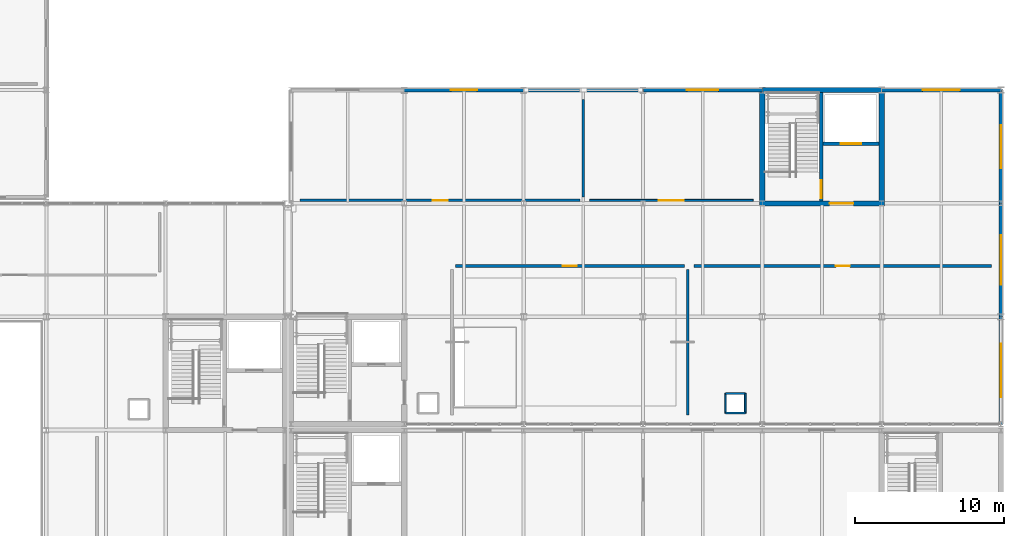
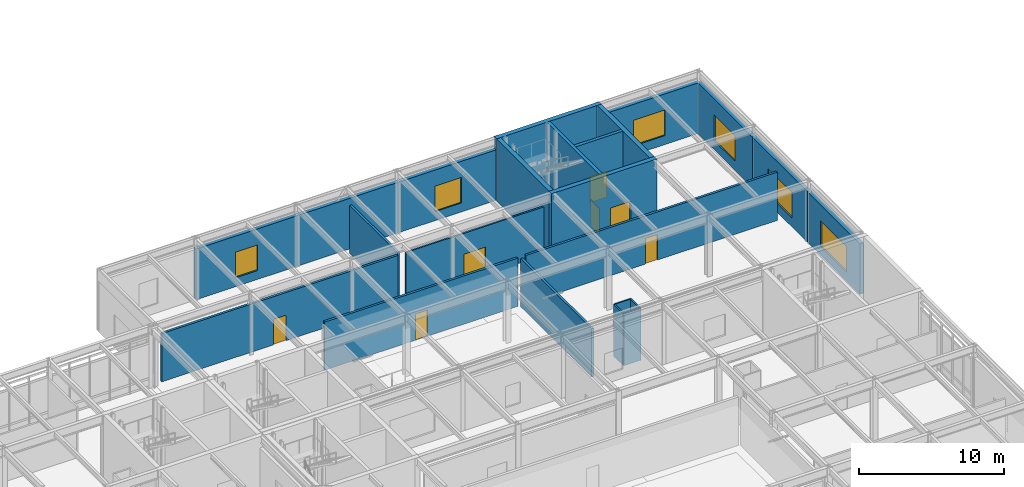
# One storey, part 78 of 94: 23 walls, 7 doors, 6 windows, 13 openings.
"""IFC4 building model written with IfcOpenShell, lengths in metres."""

from ifc_helpers import new_model, si_unit, direction, frame, frame_2d, origin, place, context, subcontext, project, spatial, rectangle, extrude, material, layer, layer_set, type_object, element, fill, save


model = new_model("IFC4")

# Units and contexts
model_context = context("Model", 3, precision=1e-05, world=origin(), true_north=direction((0.0, 1.0)))
body_context = subcontext(model_context, "Body", "Model", "MODEL_VIEW")
ifc_project = project(units=[si_unit("LENGTHUNIT", "METRE"), si_unit("AREAUNIT", "SQUARE_METRE"), si_unit("VOLUMEUNIT", "CUBIC_METRE"), si_unit("PLANEANGLEUNIT", "RADIAN"), si_unit("MASSUNIT", "GRAM", prefix="KILO")], contexts=[model_context])

# Site, building, storey
site_placement = place(None, origin())
site = spatial("IfcSite", under=ifc_project, at=site_placement, CompositionType="ELEMENT")
building_placement = place(site_placement, origin())
building = spatial("IfcBuilding", under=site, at=building_placement, Name="Zulena Civic Courthouse", CompositionType="ELEMENT")
storey_placement = place(building_placement, frame((0.0, 0.0, 5.39990234375)))
storey = spatial("IfcBuildingStorey", under=building, at=storey_placement, Name="L01", CompositionType="ELEMENT", Elevation=5.39990234375)

# Wall, opening, door
ifc_material_1 = material(Name="Concrete C40/50", Category="concrete")
ifc_layer_1 = layer(ifc_material_1, 0.25)
ifc_layer_set_1 = layer_set([ifc_layer_1], Name="Concrete C40/50")
wall_type_1 = type_object("IfcWallType", Name="CoreShearWall_RC250", PredefinedType="SHEAR", material=ifc_layer_set_1)
wall_1_placement = place(storey_placement, frame((159.949951171875, 45.77490234375, 0.0), z_axis=(0.0, 0.0, 1.0), x_axis=(0.0, 1.0, 0.0)))
wall_1 = element("IfcWall", 1, at=wall_1_placement, inside=storey, type_object=wall_type_1, Name="cwall:K3B:L01:DIV", PredefinedType="SHEAR", context=body_context, shape_type="SweptSolid", body=[
    extrude(rectangle(XDim=7.25, YDim=0.25, at=frame_2d((3.625, 0.0))), origin(), (0.0, 0.0, 1.0), 5.190185546875),
])
opening_1_placement = place(wall_1_placement, frame((0.179931640625, 0.0, 0.0)))
opening_1 = element("IfcOpeningElement", 2, at=opening_1_placement, cuts=wall_1, Name="Opening ID07", PredefinedType="OPENING", context=body_context, shape_type="SweptSolid", body=[
    extrude(rectangle(XDim=1.199951171875, YDim=2.199951171875, at=frame_2d((0.60009765625, 1.10009765625))), frame((0.0, 0.135009765625, 0.0), z_axis=(0.0, -1.0, 0.0), x_axis=(1.0, 0.0, 0.0)), (0.0, 0.0, 1.0), 0.27001953125),
])
ifc_material_2 = material(Name="Fire-rated galvanised steel ASTM A653 Grade 50", Category="steel")
door_type_1 = type_object("IfcDoorType", Name="IntDoor_Stair_1200x2200", OperationType="NOTDEFINED", PredefinedType="DOOR", material=ifc_material_2)
door_1_placement = place(opening_1_placement, origin())
door_1 = element("IfcDoor", 3, at=door_1_placement, inside=storey, type_object=door_type_1, Name="door:stair:K3B:L01", OperationType="SINGLE_SWING_RIGHT", OverallHeight=2.199951171875, OverallWidth=1.199951171875, PredefinedType="DOOR", context=body_context, shape_type="SweptSolid", body=[
    extrude(rectangle(XDim=1.199951171875, YDim=2.199951171875, at=frame_2d((0.60009765625, 1.10009765625))), frame((0.0, 0.02490234375, 0.0), z_axis=(0.0, -1.0, 0.0), x_axis=(1.0, 0.0, 0.0)), (0.0, 0.0, 1.0), 0.050048828125),
])
fill(opening_1, door_1)

wall_2_placement = place(storey_placement, frame((160.074951171875, 49.60009765625, 0.0), z_axis=(0.0, 0.0, 1.0), x_axis=(1.0, 0.0, 0.0)))
wall_2 = element("IfcWall", 4, at=wall_2_placement, inside=storey, type_object=wall_type_1, Name="cwall:K3B:L01:SHF", PredefinedType="SHEAR", context=body_context, shape_type="SweptSolid", body=[
    extrude(rectangle(XDim=3.75, YDim=0.25, at=frame_2d((1.875, 0.0))), origin(), (0.0, 0.0, 1.0), 5.190185546875),
])
opening_2_placement = place(wall_2_placement, frame((1.195068359375, 0.0, 0.0)))
opening_2 = element("IfcOpeningElement", 5, at=opening_2_placement, cuts=wall_2, Name="Opening LD04", PredefinedType="OPENING", context=body_context, shape_type="SweptSolid", body=[
    extrude(rectangle(XDim=1.35009765625, YDim=2.199951171875, at=frame_2d((0.675048828125, 1.10009765625))), frame((0.0, 0.135009765625, 0.0), z_axis=(0.0, -1.0, 0.0), x_axis=(1.0, 0.0, 0.0)), (0.0, 0.0, 1.0), 0.27001953125),
])
door_type_2 = type_object("IfcDoorType", Name="LiftLandingDoor_Goods_1350x2300", OperationType="DOUBLE_DOOR_SLIDING", PredefinedType="DOOR", material=ifc_material_2)
door_2_placement = place(opening_2_placement, origin())
door_2 = element("IfcDoor", 6, at=door_2_placement, inside=storey, type_object=door_type_2, Name="door:ld:GL-01:L01", OperationType="DOUBLE_DOOR_SLIDING", OverallHeight=2.199951171875, OverallWidth=1.35009765625, PredefinedType="DOOR", context=body_context, shape_type="SweptSolid", body=[
    extrude(rectangle(XDim=1.35009765625, YDim=2.199951171875, at=frame_2d((0.675048828125, 1.10009765625))), frame((0.0, 0.02490234375, 0.0), z_axis=(0.0, -1.0, 0.0), x_axis=(1.0, 0.0, 0.0)), (0.0, 0.0, 1.0), 0.050048828125),
])
fill(opening_2, door_2)

ifc_layer_2 = layer(ifc_material_1, 0.35009765625)
ifc_layer_set_2 = layer_set([ifc_layer_2], Name="Concrete C40/50")
wall_type_2 = type_object("IfcWallType", Name="CoreShearWall_RC350", PredefinedType="SHEAR", material=ifc_layer_set_2)
wall_3_placement = place(storey_placement, frame((155.824951171875, 45.60009765625, 0.0), z_axis=(0.0, 0.0, 1.0), x_axis=(1.0, 0.0, 0.0)))
wall_3 = element("IfcWall", 7, at=wall_3_placement, inside=storey, type_object=wall_type_2, Name="cwall:K3B:L01:S", PredefinedType="SHEAR", context=body_context, shape_type="SweptSolid", body=[
    extrude(rectangle(XDim=8.35009765625, YDim=0.35009765625, at=frame_2d((4.175048828125, 0.0))), origin(), (0.0, 0.0, 1.0), 5.190185546875),
])
opening_3_placement = place(wall_3_placement, frame((4.68505859375, 0.0, 0.0)))
opening_3 = element("IfcOpeningElement", 8, at=opening_3_placement, cuts=wall_3, Name="Opening ID04", PredefinedType="OPENING", context=body_context, shape_type="SweptSolid", body=[
    extrude(rectangle(XDim=1.60009765625, YDim=2.35009765625, at=frame_2d((0.800048828125, 1.175048828125))), frame((0.0, 0.18505859375, 0.0), z_axis=(0.0, -1.0, 0.0), x_axis=(1.0, 0.0, 0.0)), (0.0, 0.0, 1.0), 0.3701171875),
])
ifc_material_3 = material(Name="Solid-core acoustic hardwood timber", Category="wood")
door_type_3 = type_object("IfcDoorType", Name="IntDoor_CourtPublic_1600x2350", OperationType="DOUBLE_DOOR_SINGLE_SWING", PredefinedType="DOOR", material=ifc_material_3)
door_3_placement = place(opening_3_placement, origin())
door_3 = element("IfcDoor", 9, at=door_3_placement, inside=storey, type_object=door_type_3, Name="door:corelob:K3B:L01", OperationType="DOUBLE_DOOR_SINGLE_SWING", OverallHeight=2.35009765625, OverallWidth=1.60009765625, PredefinedType="DOOR", context=body_context, shape_type="SweptSolid", body=[
    extrude(rectangle(XDim=1.60009765625, YDim=2.35009765625, at=frame_2d((0.800048828125, 1.175048828125))), frame((0.0, 0.02490234375, 0.0), z_axis=(0.0, -1.0, 0.0), x_axis=(1.0, 0.0, 0.0)), (0.0, 0.0, 1.0), 0.050048828125),
])
fill(opening_3, door_3)

# Walls
wall_4_placement = place(storey_placement, frame((155.824951171875, 53.199951171875, 0.0), z_axis=(0.0, 0.0, 1.0), x_axis=(1.0, 0.0, 0.0)))
element("IfcWall", 10, at=wall_4_placement, inside=storey, type_object=wall_type_2, Name="cwall:K3B:L01:N", PredefinedType="SHEAR", context=body_context, shape_type="SweptSolid", body=[
    extrude(rectangle(XDim=8.35009765625, YDim=0.35009765625, at=frame_2d((4.175048828125, 0.0))), origin(), (0.0, 0.0, 1.0), 5.190185546875),
])
for number, where, z_axis, x_axis, name in (
    (11, (156.0, 45.77490234375, 0.0), (0.0, 0.0, 1.0), (0.0, 1.0, 0.0), "cwall:K3B:L01:W"),
    (12, (164.0, 45.77490234375, 0.0), (0.0, 0.0, 1.0), (0.0, 1.0, 0.0), "cwall:K3B:L01:E"),
):
    element("IfcWall", number, at=place(storey_placement, frame(where, z_axis=z_axis, x_axis=x_axis)), inside=storey, type_object=wall_type_2, Name=name, PredefinedType="SHEAR", context=body_context, shape_type="SweptSolid", body=[
        extrude(rectangle(XDim=7.25, YDim=0.35009765625, at=frame_2d((3.625, 0.0))), origin(), (0.0, 0.0, 1.0), 5.190185546875),
    ])

# Wall, opening, window
ifc_material_4 = material(Name="Travertine-cream architectural precast concrete C40/50", Category="masonry")
ifc_layer_3 = layer(ifc_material_4, 0.280029296875)
ifc_layer_set_3 = layer_set([ifc_layer_3], Name="Travertine-cream architectural precast concrete C40/50")
wall_type_3 = type_object("IfcWallType", Name="ExtWall_TravPrecast_280", PredefinedType="STANDARD", material=ifc_layer_set_3)
wall_5_placement = place(storey_placement, frame((131.97998046875, 53.199951171875, 0.0), z_axis=(0.0, 0.0, 1.0), x_axis=(1.0, 0.0, 0.0)))
wall_5 = element("IfcWall", 13, at=wall_5_placement, inside=storey, type_object=wall_type_3, Name="ewall:V3:L01:1:1", PredefinedType="STANDARD", context=body_context, shape_type="SweptSolid", body=[
    extrude(rectangle(XDim=8.0400390625, YDim=0.280029296875, at=frame_2d((4.02001953125, 0.0))), origin(), (0.0, 0.0, 1.0), 4.25),
])
opening_4_placement = place(wall_5_placement, frame((3.14501953125, 0.0, 0.75)))
opening_4 = element("IfcOpeningElement", 14, at=opening_4_placement, cuts=wall_5, Name="Opening WN10", PredefinedType="OPENING", context=body_context, shape_type="SweptSolid", body=[
    extrude(rectangle(XDim=1.75, YDim=2.14990234375, at=frame_2d((0.875, 1.074951171875))), frame((0.0, 0.14990234375, 0.0), z_axis=(0.0, -1.0, 0.0), x_axis=(1.0, 0.0, 0.0)), (0.0, 0.0, 1.0), 0.300048828125),
])
ifc_material_5 = material(Name="Double-silver low-E laminated solar-control glass", Category="glass")
window_type_1 = type_object("IfcWindowType", Name="Win_1750x2150", PartitioningType="SINGLE_PANEL", PredefinedType="WINDOW", material=ifc_material_5)
window_1_placement = place(opening_4_placement, origin())
window_1 = element("IfcWindow", 15, at=window_1_placement, inside=storey, type_object=window_type_1, Name="win:V3:L01:1:1", OverallHeight=2.14990234375, OverallWidth=1.75, PartitioningType="SINGLE_PANEL", PredefinedType="WINDOW", context=body_context, shape_type="SweptSolid", body=[
    extrude(rectangle(XDim=1.75, YDim=2.14990234375, at=frame_2d((0.875, 1.074951171875))), frame((0.0, 0.030029296875, 0.0), z_axis=(0.0, -1.0, 0.0), x_axis=(1.0, 0.0, 0.0)), (0.0, 0.0, 1.0), 0.06005859375),
])
fill(opening_4, window_1)

# Wall
wall_6_placement = place(storey_placement, frame((139.97998046875, 53.199951171875, 0.0), z_axis=(0.0, 0.0, 1.0), x_axis=(1.0, 0.0, 0.0)))
element("IfcWall", 16, at=wall_6_placement, inside=storey, type_object=wall_type_3, Name="ewall:V3:L01:1:2", PredefinedType="STANDARD", context=body_context, shape_type="SweptSolid", body=[
    extrude(rectangle(XDim=8.0400390625, YDim=0.280029296875, at=frame_2d((4.02001953125, 0.0))), origin(), (0.0, 0.0, 1.0), 4.25),
])

# Wall, opening, window
wall_7_placement = place(storey_placement, frame((147.97998046875, 53.199951171875, 0.0), z_axis=(0.0, 0.0, 1.0), x_axis=(1.0, 0.0, 0.0)))
wall_7 = element("IfcWall", 17, at=wall_7_placement, inside=storey, type_object=wall_type_3, Name="ewall:V3:L01:1:3", PredefinedType="STANDARD", context=body_context, shape_type="SweptSolid", body=[
    extrude(rectangle(XDim=8.0400390625, YDim=0.280029296875, at=frame_2d((4.02001953125, 0.0))), origin(), (0.0, 0.0, 1.0), 4.25),
])
opening_5_placement = place(wall_7_placement, frame((2.969970703125, 0.0, 0.75)))
opening_5 = element("IfcOpeningElement", 18, at=opening_5_placement, cuts=wall_7, Name="Opening WN11", PredefinedType="OPENING", context=body_context, shape_type="SweptSolid", body=[
    extrude(rectangle(XDim=2.10009765625, YDim=2.14990234375, at=frame_2d((1.050048828125, 1.074951171875))), frame((0.0, 0.14990234375, 0.0), z_axis=(0.0, -1.0, 0.0), x_axis=(1.0, 0.0, 0.0)), (0.0, 0.0, 1.0), 0.300048828125),
])
window_type_2 = type_object("IfcWindowType", Name="Win_2100x2150", PartitioningType="DOUBLE_PANEL_VERTICAL", PredefinedType="WINDOW", material=ifc_material_5)
window_2_placement = place(opening_5_placement, origin())
window_2 = element("IfcWindow", 19, at=window_2_placement, inside=storey, type_object=window_type_2, Name="win:V3:L01:1:3", OverallHeight=2.14990234375, OverallWidth=2.10009765625, PartitioningType="SINGLE_PANEL", PredefinedType="WINDOW", context=body_context, shape_type="SweptSolid", body=[
    extrude(rectangle(XDim=2.10009765625, YDim=2.14990234375, at=frame_2d((1.050048828125, 1.074951171875))), frame((0.0, 0.030029296875, 0.0), z_axis=(0.0, -1.0, 0.0), x_axis=(1.0, 0.0, 0.0)), (0.0, 0.0, 1.0), 0.06005859375),
])
fill(opening_5, window_2)

wall_8_placement = place(storey_placement, frame((163.97998046875, 53.199951171875, 0.0), z_axis=(0.0, 0.0, 1.0), x_axis=(1.0, 0.0, 0.0)))
wall_8 = element("IfcWall", 20, at=wall_8_placement, inside=storey, type_object=wall_type_3, Name="ewall:V3:L01:1:5", PredefinedType="STANDARD", context=body_context, shape_type="SweptSolid", body=[
    extrude(rectangle(XDim=8.0400390625, YDim=0.280029296875, at=frame_2d((4.02001953125, 0.0))), origin(), (0.0, 0.0, 1.0), 4.25),
])
opening_6_placement = place(wall_8_placement, frame((2.77001953125, 0.0, 0.75)))
opening_6 = element("IfcOpeningElement", 21, at=opening_6_placement, cuts=wall_8, Name="Opening WN12", PredefinedType="OPENING", context=body_context, shape_type="SweptSolid", body=[
    extrude(rectangle(XDim=2.5, YDim=2.14990234375, at=frame_2d((1.25, 1.074951171875))), frame((0.0, 0.14990234375, 0.0), z_axis=(0.0, -1.0, 0.0), x_axis=(1.0, 0.0, 0.0)), (0.0, 0.0, 1.0), 0.300048828125),
])
window_type_3 = type_object("IfcWindowType", Name="Win_2500x2150", PartitioningType="DOUBLE_PANEL_VERTICAL", PredefinedType="WINDOW", material=ifc_material_5)
window_3_placement = place(opening_6_placement, origin())
window_3 = element("IfcWindow", 22, at=window_3_placement, inside=storey, type_object=window_type_3, Name="win:V3:L01:1:5", OverallHeight=2.14990234375, OverallWidth=2.5, PartitioningType="SINGLE_PANEL", PredefinedType="WINDOW", context=body_context, shape_type="SweptSolid", body=[
    extrude(rectangle(XDim=2.5, YDim=2.14990234375, at=frame_2d((1.25, 1.074951171875))), frame((0.0, 0.030029296875, 0.0), z_axis=(0.0, -1.0, 0.0), x_axis=(1.0, 0.0, 0.0)), (0.0, 0.0, 1.0), 0.06005859375),
])
fill(opening_6, window_3)

wall_9_placement = place(storey_placement, frame((172.0, 53.219970703125, 0.0), z_axis=(0.0, 0.0, 1.0), x_axis=(0.0, -1.0, 0.0)))
wall_9 = element("IfcWall", 23, at=wall_9_placement, inside=storey, type_object=wall_type_3, Name="ewall:V3:L01:2:0", PredefinedType="STANDARD", context=body_context, shape_type="SweptSolid", body=[
    extrude(rectangle(XDim=7.639892578125, YDim=0.280029296875, at=frame_2d((3.81982421875, 0.0))), origin(), (0.0, 0.0, 1.0), 4.25),
])
opening_7_placement = place(wall_9_placement, frame((2.3701171875, 0.0, 0.75)))
opening_7 = element("IfcOpeningElement", 24, at=opening_7_placement, cuts=wall_9, Name="Opening WN13", PredefinedType="OPENING", context=body_context, shape_type="SweptSolid", body=[
    extrude(rectangle(XDim=2.89990234375, YDim=2.14990234375, at=frame_2d((1.449951171875, 1.074951171875))), frame((0.0, 0.14990234375, 0.0), z_axis=(0.0, -1.0, 0.0), x_axis=(1.0, 0.0, 0.0)), (0.0, 0.0, 1.0), 0.300048828125),
])
window_type_4 = type_object("IfcWindowType", Name="Win_2900x2150", PartitioningType="DOUBLE_PANEL_VERTICAL", PredefinedType="WINDOW", material=ifc_material_5)
window_4_placement = place(opening_7_placement, origin())
window_4 = element("IfcWindow", 25, at=window_4_placement, inside=storey, type_object=window_type_4, Name="win:V3:L01:2:0", OverallHeight=2.14990234375, OverallWidth=2.89990234375, PartitioningType="SINGLE_PANEL", PredefinedType="WINDOW", context=body_context, shape_type="SweptSolid", body=[
    extrude(rectangle(XDim=2.89990234375, YDim=2.14990234375, at=frame_2d((1.449951171875, 1.074951171875))), frame((0.0, 0.030029296875, 0.0), z_axis=(0.0, -1.0, 0.0), x_axis=(1.0, 0.0, 0.0)), (0.0, 0.0, 1.0), 0.06005859375),
])
fill(opening_7, window_4)

wall_10_placement = place(storey_placement, frame((172.0, 45.6201171875, 0.0), z_axis=(0.0, 0.0, 1.0), x_axis=(0.0, -1.0, 0.0)))
wall_10 = element("IfcWall", 26, at=wall_10_placement, inside=storey, type_object=wall_type_3, Name="ewall:V3:L01:2:1", PredefinedType="STANDARD", context=body_context, shape_type="SweptSolid", body=[
    extrude(rectangle(XDim=7.64013671875, YDim=0.280029296875, at=frame_2d((3.820068359375, 0.0))), origin(), (0.0, 0.0, 1.0), 4.25),
])
opening_8_placement = place(wall_10_placement, frame((2.169921875, 0.0, 0.75)))
opening_8 = element("IfcOpeningElement", 27, at=opening_8_placement, cuts=wall_10, Name="Opening WN14", PredefinedType="OPENING", context=body_context, shape_type="SweptSolid", body=[
    extrude(rectangle(XDim=3.300048828125, YDim=2.14990234375, at=frame_2d((1.64990234375, 1.074951171875))), frame((0.0, 0.14990234375, 0.0), z_axis=(0.0, -1.0, 0.0), x_axis=(1.0, 0.0, 0.0)), (0.0, 0.0, 1.0), 0.300048828125),
])
window_type_5 = type_object("IfcWindowType", Name="Win_3300x2150", PartitioningType="DOUBLE_PANEL_VERTICAL", PredefinedType="WINDOW", material=ifc_material_5)
window_5_placement = place(opening_8_placement, origin())
window_5 = element("IfcWindow", 28, at=window_5_placement, inside=storey, type_object=window_type_5, Name="win:V3:L01:2:1", OverallHeight=2.14990234375, OverallWidth=3.300048828125, PartitioningType="SINGLE_PANEL", PredefinedType="WINDOW", context=body_context, shape_type="SweptSolid", body=[
    extrude(rectangle(XDim=3.300048828125, YDim=2.14990234375, at=frame_2d((1.64990234375, 1.074951171875))), frame((0.0, 0.030029296875, 0.0), z_axis=(0.0, -1.0, 0.0), x_axis=(1.0, 0.0, 0.0)), (0.0, 0.0, 1.0), 0.06005859375),
])
fill(opening_8, window_5)

wall_11_placement = place(storey_placement, frame((172.0, 38.02001953125, 0.0), z_axis=(0.0, 0.0, 1.0), x_axis=(0.0, -1.0, 0.0)))
wall_11 = element("IfcWall", 29, at=wall_11_placement, inside=storey, type_object=wall_type_3, Name="ewall:V3:L01:2:2", PredefinedType="STANDARD", context=body_context, shape_type="SweptSolid", body=[
    extrude(rectangle(XDim=7.239990234375, YDim=0.280029296875, at=frame_2d((3.6201171875, 0.0))), origin(), (0.0, 0.0, 1.0), 4.25),
])
opening_9_placement = place(wall_11_placement, frame((1.820068359375, 0.0, 0.75)))
opening_9 = element("IfcOpeningElement", 30, at=opening_9_placement, cuts=wall_11, Name="Opening WN15", PredefinedType="OPENING", context=body_context, shape_type="SweptSolid", body=[
    extrude(rectangle(XDim=3.60009765625, YDim=2.14990234375, at=frame_2d((1.800048828125, 1.074951171875))), frame((0.0, 0.14990234375, 0.0), z_axis=(0.0, -1.0, 0.0), x_axis=(1.0, 0.0, 0.0)), (0.0, 0.0, 1.0), 0.300048828125),
])
window_type_6 = type_object("IfcWindowType", Name="Win_3600x2150", PartitioningType="DOUBLE_PANEL_VERTICAL", PredefinedType="WINDOW", material=ifc_material_5)
window_6_placement = place(opening_9_placement, origin())
window_6 = element("IfcWindow", 31, at=window_6_placement, inside=storey, type_object=window_type_6, Name="win:V3:L01:2:2", OverallHeight=2.14990234375, OverallWidth=3.60009765625, PartitioningType="SINGLE_PANEL", PredefinedType="WINDOW", context=body_context, shape_type="SweptSolid", body=[
    extrude(rectangle(XDim=3.60009765625, YDim=2.14990234375, at=frame_2d((1.800048828125, 1.074951171875))), frame((0.0, 0.030029296875, 0.0), z_axis=(0.0, -1.0, 0.0), x_axis=(1.0, 0.0, 0.0)), (0.0, 0.0, 1.0), 0.06005859375),
])
fill(opening_9, window_6)

# Wall, opening, door
ifc_material_6 = material(Name="Acoustic fire-rated gypsum board assembly", Category="masonry")
ifc_layer_4 = layer(ifc_material_6, 0.177978515625)
ifc_layer_set_4 = layer_set([ifc_layer_4], Name="Acoustic fire-rated gypsum board assembly")
wall_type_4 = type_object("IfcWallType", Name="PartWall_Corridor_178", PredefinedType="PARTITIONING", material=ifc_layer_set_4)
wall_12_placement = place(storey_placement, frame((135.419921875, 41.39990234375, 0.0), z_axis=(0.0, 0.0, 1.0), x_axis=(1.0, 0.0, 0.0)))
wall_12 = element("IfcWall", 32, at=wall_12_placement, inside=storey, type_object=wall_type_4, Name="pwall:L01:264:0", PredefinedType="PARTITIONING", context=body_context, shape_type="SweptSolid", body=[
    extrude(rectangle(XDim=15.360107421875, YDim=0.177978515625, at=frame_2d((7.68017578125, 0.0))), origin(), (0.0, 0.0, 1.0), 4.050048828125),
])
opening_10_placement = place(wall_12_placement, frame((7.2099609375, 0.0, 0.0)))
opening_10 = element("IfcOpeningElement", 33, at=opening_10_placement, cuts=wall_12, Name="Opening ID22", PredefinedType="OPENING", context=body_context, shape_type="SweptSolid", body=[
    extrude(rectangle(XDim=0.93994140625, YDim=2.199951171875, at=frame_2d((0.469970703125, 1.10009765625))), frame((0.0, 0.098876953125, 0.0), z_axis=(0.0, -1.0, 0.0), x_axis=(1.0, 0.0, 0.0)), (0.0, 0.0, 1.0), 0.197998046875),
])
door_type_4 = type_object("IfcDoorType", Name="IntDoor_Witness_940x2200", OperationType="NOTDEFINED", PredefinedType="DOOR", material=ifc_material_3)
door_4_placement = place(opening_10_placement, origin())
door_4 = element("IfcDoor", 34, at=door_4_placement, inside=storey, type_object=door_type_4, Name="door:rm:L01:264", OperationType="SINGLE_SWING_LEFT", OverallHeight=2.199951171875, OverallWidth=0.93994140625, PredefinedType="DOOR", context=body_context, shape_type="SweptSolid", body=[
    extrude(rectangle(XDim=0.93994140625, YDim=2.199951171875, at=frame_2d((0.469970703125, 1.10009765625))), frame((0.0, 0.02490234375, 0.0), z_axis=(0.0, -1.0, 0.0), x_axis=(1.0, 0.0, 0.0)), (0.0, 0.0, 1.0), 0.050048828125),
])
fill(opening_10, door_4)

# Wall
wall_13_placement = place(storey_placement, frame((151.0, 31.419921875, 0.0), z_axis=(0.0, 0.0, 1.0), x_axis=(0.0, 1.0, 0.0)))
element("IfcWall", 35, at=wall_13_placement, inside=storey, type_object=wall_type_4, Name="pwall:L01:264:1", PredefinedType="PARTITIONING", context=body_context, shape_type="SweptSolid", body=[
    extrude(rectangle(XDim=9.760009765625, YDim=0.177978515625, at=frame_2d((4.8798828125, 0.0))), origin(), (0.0, 0.0, 1.0), 4.050048828125),
])

# Wall, opening, door
wall_14_placement = place(storey_placement, frame((151.419921875, 41.39990234375, 0.0), z_axis=(0.0, 0.0, 1.0), x_axis=(1.0, 0.0, 0.0)))
wall_14 = element("IfcWall", 36, at=wall_14_placement, inside=storey, type_object=wall_type_4, Name="pwall:L01:265:0", PredefinedType="PARTITIONING", context=body_context, shape_type="SweptSolid", body=[
    extrude(rectangle(XDim=19.9599609375, YDim=0.177978515625, at=frame_2d((9.97998046875, 0.0))), origin(), (0.0, 0.0, 1.0), 4.050048828125),
])
opening_11_placement = place(wall_14_placement, frame((9.5048828125, 0.0, 0.0)))
opening_11 = element("IfcOpeningElement", 37, at=opening_11_placement, cuts=wall_14, Name="Opening ID23", PredefinedType="OPENING", context=body_context, shape_type="SweptSolid", body=[
    extrude(rectangle(XDim=0.949951171875, YDim=2.14990234375, at=frame_2d((0.47509765625, 1.074951171875))), frame((0.0, 0.098876953125, 0.0), z_axis=(0.0, -1.0, 0.0), x_axis=(1.0, 0.0, 0.0)), (0.0, 0.0, 1.0), 0.197998046875),
])
door_type_5 = type_object("IfcDoorType", Name="IntDoor_Restroom_950x2150", OperationType="NOTDEFINED", PredefinedType="DOOR", material=ifc_material_3)
door_5_placement = place(opening_11_placement, origin())
door_5 = element("IfcDoor", 38, at=door_5_placement, inside=storey, type_object=door_type_5, Name="door:rm:L01:265", OperationType="SINGLE_SWING_RIGHT", OverallHeight=2.14990234375, OverallWidth=0.949951171875, PredefinedType="DOOR", context=body_context, shape_type="SweptSolid", body=[
    extrude(rectangle(XDim=0.949951171875, YDim=2.14990234375, at=frame_2d((0.47509765625, 1.074951171875))), frame((0.0, 0.02490234375, 0.0), z_axis=(0.0, -1.0, 0.0), x_axis=(1.0, 0.0, 0.0)), (0.0, 0.0, 1.0), 0.050048828125),
])
fill(opening_11, door_5)

wall_15_placement = place(storey_placement, frame((125.02001953125, 45.800048828125, 0.0), z_axis=(0.0, 0.0, 1.0), x_axis=(1.0, 0.0, 0.0)))
wall_15 = element("IfcWall", 39, at=wall_15_placement, inside=storey, type_object=wall_type_4, Name="pwall:L01:266:0", PredefinedType="PARTITIONING", context=body_context, shape_type="SweptSolid", body=[
    extrude(rectangle(XDim=18.760009765625, YDim=0.177978515625, at=frame_2d((9.3798828125, 0.0))), origin(), (0.0, 0.0, 1.0), 4.050048828125),
])
opening_12_placement = place(wall_15_placement, frame((8.8798828125, 0.0, 0.0)))
opening_12 = element("IfcOpeningElement", 40, at=opening_12_placement, cuts=wall_15, Name="Opening ID24", PredefinedType="OPENING", context=body_context, shape_type="SweptSolid", body=[
    extrude(rectangle(XDim=1.0, YDim=2.14990234375, at=frame_2d((0.5, 1.074951171875))), frame((0.0, 0.098876953125, 0.0), z_axis=(0.0, -1.0, 0.0), x_axis=(1.0, 0.0, 0.0)), (0.0, 0.0, 1.0), 0.197998046875),
])
door_type_6 = type_object("IfcDoorType", Name="IntDoor_AccWC_1000x2150", OperationType="NOTDEFINED", PredefinedType="DOOR", material=ifc_material_3)
door_6_placement = place(opening_12_placement, origin())
door_6 = element("IfcDoor", 41, at=door_6_placement, inside=storey, type_object=door_type_6, Name="door:rm:L01:266", OperationType="SINGLE_SWING_LEFT", OverallHeight=2.14990234375, OverallWidth=1.0, PredefinedType="DOOR", context=body_context, shape_type="SweptSolid", body=[
    extrude(rectangle(XDim=1.0, YDim=2.14990234375, at=frame_2d((0.5, 1.074951171875))), frame((0.0, 0.02490234375, 0.0), z_axis=(0.0, -1.0, 0.0), x_axis=(1.0, 0.0, 0.0)), (0.0, 0.0, 1.0), 0.050048828125),
])
fill(opening_12, door_6)

# Walls
wall_16_placement = place(storey_placement, frame((144.0, 46.02001953125, 0.0), z_axis=(0.0, 0.0, 1.0), x_axis=(0.0, 1.0, 0.0)))
element("IfcWall", 42, at=wall_16_placement, inside=storey, type_object=wall_type_4, Name="pwall:L01:266:1", PredefinedType="PARTITIONING", context=body_context, shape_type="SweptSolid", body=[
    extrude(rectangle(XDim=6.56005859375, YDim=0.177978515625, at=frame_2d((3.280029296875, 0.0))), origin(), (0.0, 0.0, 1.0), 4.050048828125),
])
ifc_material_7 = material(Name="Insulated blockwork masonry ASTM C90", Category="masonry")
ifc_layer_5 = layer(ifc_material_7, 0.114990234375)
ifc_layer_set_5 = layer_set([ifc_layer_5], Name="Insulated blockwork masonry ASTM C90")
wall_type_5 = type_object("IfcWallType", Name="PartWall_Riser_115", PredefinedType="PARTITIONING", material=ifc_layer_set_5)
for number, where, z_axis, x_axis, name in (
    (43, (153.5400390625, 31.5400390625, 0.0), (0.0, 0.0, 1.0), (1.0, 0.0, 0.0), "riser:RS-V3E:L01:0"),
    (44, (154.860107421875, 31.5400390625, 0.0), (0.0, 0.0, 1.0), (0.0, 1.0, 0.0), "riser:RS-V3E:L01:1"),
    (45, (154.860107421875, 32.860107421875, 0.0), (0.0, 0.0, 1.0), (-1.0, 0.0, 0.0), "riser:RS-V3E:L01:2"),
    (46, (153.5400390625, 32.860107421875, 0.0), (0.0, 0.0, 1.0), (0.0, -1.0, 0.0), "riser:RS-V3E:L01:3"),
):
    element("IfcWall", number, at=place(storey_placement, frame(where, z_axis=z_axis, x_axis=x_axis)), inside=storey, type_object=wall_type_5, Name=name, PredefinedType="PARTITIONING", context=body_context, shape_type="SweptSolid", body=[
        extrude(rectangle(XDim=1.320068359375, YDim=0.114990234375, at=frame_2d((0.66015625, 0.0))), origin(), (0.0, 0.0, 1.0), 4.35009765625),
    ])

# Wall, opening, door
ifc_layer_6 = layer(ifc_material_7, 0.1279296875)
ifc_layer_set_6 = layer_set([ifc_layer_6], Name="Insulated blockwork masonry ASTM C90")
wall_type_6 = type_object("IfcWallType", Name="PartWall_WetRoom_128", PredefinedType="PARTITIONING", material=ifc_layer_set_6)
wall_17_placement = place(storey_placement, frame((144.419921875, 45.800048828125, 0.0), z_axis=(0.0, 0.0, 1.0), x_axis=(1.0, 0.0, 0.0)))
wall_17 = element("IfcWall", 47, at=wall_17_placement, inside=storey, type_object=wall_type_6, Name="pwall:L01:267:0", PredefinedType="PARTITIONING", context=body_context, shape_type="SweptSolid", body=[
    extrude(rectangle(XDim=10.9599609375, YDim=0.1279296875, at=frame_2d((5.47998046875, 0.0))), origin(), (0.0, 0.0, 1.0), 4.050048828125),
])
opening_13_placement = place(wall_17_placement, frame((4.6298828125, 0.0, 0.0)))
opening_13 = element("IfcOpeningElement", 48, at=opening_13_placement, cuts=wall_17, Name="Opening ID25", PredefinedType="OPENING", context=body_context, shape_type="SweptSolid", body=[
    extrude(rectangle(XDim=1.699951171875, YDim=2.300048828125, at=frame_2d((0.85009765625, 1.14990234375))), frame((0.0, 0.073974609375, 0.0), z_axis=(0.0, -1.0, 0.0), x_axis=(1.0, 0.0, 0.0)), (0.0, 0.0, 1.0), 0.14794921875),
])
door_type_7 = type_object("IfcDoorType", Name="IntDoor_PlantDouble_1700x2300", OperationType="DOUBLE_DOOR_SINGLE_SWING", PredefinedType="DOOR", material=ifc_material_2)
door_7_placement = place(opening_13_placement, origin())
door_7 = element("IfcDoor", 49, at=door_7_placement, inside=storey, type_object=door_type_7, Name="door:rm:L01:267", OperationType="DOUBLE_DOOR_SINGLE_SWING", OverallHeight=2.300048828125, OverallWidth=1.699951171875, PredefinedType="DOOR", context=body_context, shape_type="SweptSolid", body=[
    extrude(rectangle(XDim=1.699951171875, YDim=2.300048828125, at=frame_2d((0.85009765625, 1.14990234375))), frame((0.0, 0.02490234375, 0.0), z_axis=(0.0, -1.0, 0.0), x_axis=(1.0, 0.0, 0.0)), (0.0, 0.0, 1.0), 0.050048828125),
])
fill(opening_13, door_7)

save(model, "model.ifc")
